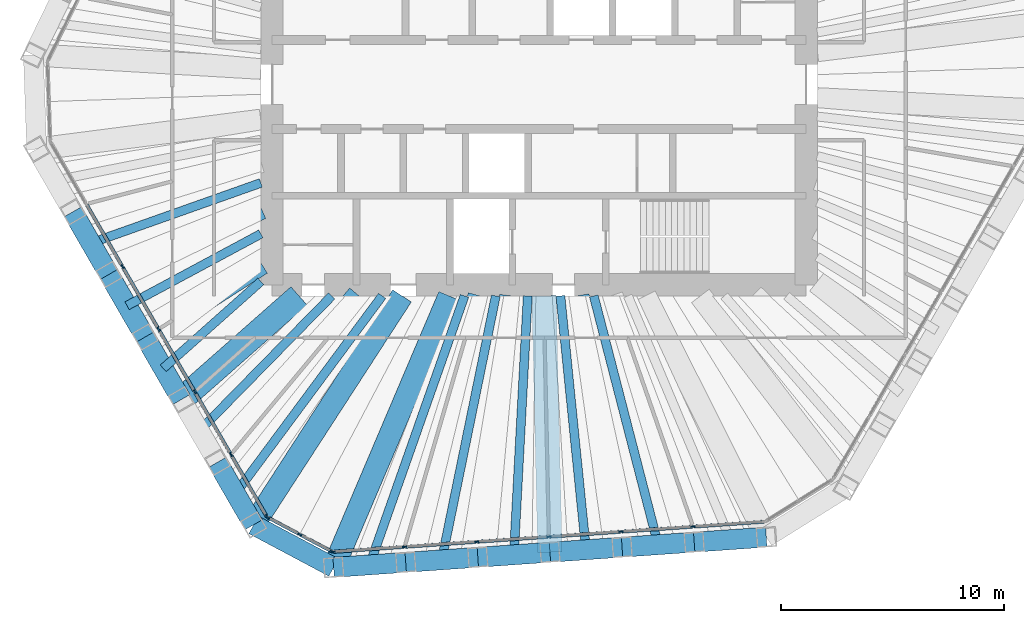
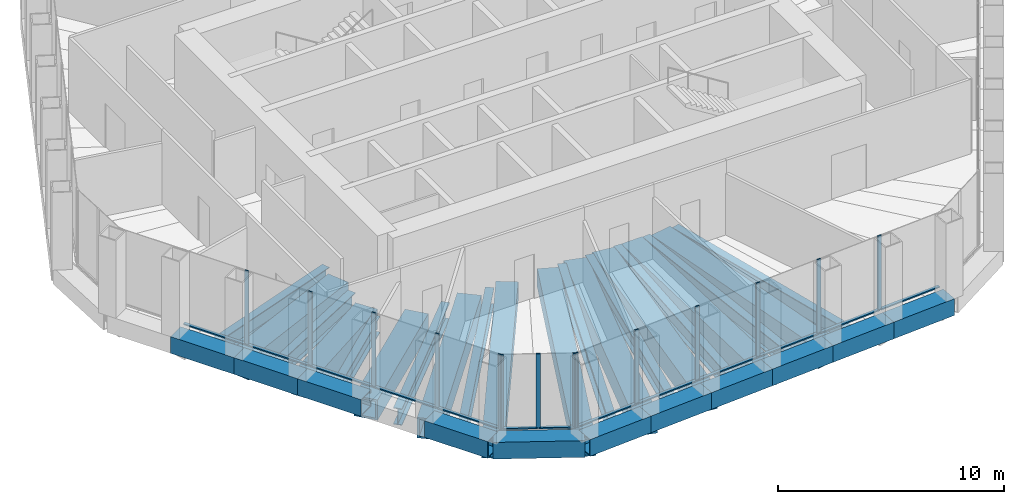
# One storey, part 2 of 14: 31 beams, 27 members, 3 elements without a shape of their own.
"""IFC4 building model written with IfcOpenShell, lengths in metres."""

import ifcopenshell
import ifcopenshell.guid

model = None  # the IFC model being written
_history = None  # IfcOwnerHistory: only IFC2X3 demands one
_inside = {}  # id of a spatial element -> (the spatial element, [elements in it])
_under = {}  # id of a project, library or spatial element -> (it, [spatial elements below it])
_declared = {}  # id of a project -> (the project, [libraries it declares])
_typed = {}  # id of a type object -> (the type object, [elements of that type])
_made_of = {}  # id of a material, layer set ... -> (it, [elements and type objects made of it])


def new_model(schema):
    """Start an empty IFC model of exactly this schema.

    Asked for "IFC4X3", IfcOpenShell would pick the latest addendum, in which some entities
    have other attributes; the version numbers below select the first issue.
    IFC2X3 requires an IfcOwnerHistory on every rooted entity: one is made here for all.
    """
    global model, _history
    if schema == "IFC4X3":
        model = ifcopenshell.file(schema_version=(4, 3, 0, 0))
    else:
        model = ifcopenshell.file(schema=schema)
    _inside.clear()
    _under.clear()
    _declared.clear()
    _typed.clear()
    _made_of.clear()
    _history = None
    if model.schema == "IFC2X3":
        org = make("IfcOrganization", Name="unknown")
        user = make(
            "IfcPersonAndOrganization",
            ThePerson=make("IfcPerson", FamilyName="unknown"),
            TheOrganization=org,
        )
        app = make(
            "IfcApplication",
            ApplicationDeveloper=org,
            Version="unknown",
            ApplicationFullName="unknown",
            ApplicationIdentifier="unknown",
        )
        _history = make(
            "IfcOwnerHistory",
            OwningUser=user,
            OwningApplication=app,
            ChangeAction="ADDED",
            CreationDate=0,
        )
    return model


def make(cls, **values):
    """One entity of the class cls with the attributes given. An attribute that is None is left unset."""
    return model.create_entity(
        cls, **{name: value for name, value in values.items() if value is not None}
    )


def rooted(cls, **values):
    """An entity with a GlobalId (a new one), such as an element, a storey or a relation."""
    return make(cls, GlobalId=ifcopenshell.guid.new(), OwnerHistory=_history, **values)


def si_unit(unit_type, name, prefix=None):
    """IfcSIUnit, for example si_unit("LENGTHUNIT", "METRE", prefix="MILLI")."""
    return make("IfcSIUnit", UnitType=unit_type, Prefix=prefix, Name=name)


def assignment(units):
    """IfcUnitAssignment: the units of a project."""
    return None if units is None else make("IfcUnitAssignment", Units=units)


def point(xyz):
    """IfcCartesianPoint."""
    return None if xyz is None else make("IfcCartesianPoint", Coordinates=xyz)


def direction(xyz):
    """IfcDirection."""
    return None if xyz is None else make("IfcDirection", DirectionRatios=xyz)


def frame(location, z_axis=None, x_axis=None):
    """IfcAxis2Placement3D, a coordinate frame: its origin and axes. An axis left out is left unset."""
    return make(
        "IfcAxis2Placement3D",
        Location=point(location),
        Axis=direction(z_axis),
        RefDirection=direction(x_axis),
    )


def frame_2d(location, x_axis=None):
    """IfcAxis2Placement2D, a coordinate frame in the plane: its origin and x axis."""
    return make(
        "IfcAxis2Placement2D", Location=point(location), RefDirection=direction(x_axis)
    )


def origin():
    """The frame at (0, 0, 0) with its axes left unset."""
    return frame((0.0, 0.0, 0.0))


def origin_2d():
    """The frame at (0, 0) in the plane with its x axis left unset."""
    return frame_2d((0.0, 0.0))


def place(relative_to, where):
    """IfcLocalPlacement: puts the frame where relative to a parent placement (None: the world)."""
    return make(
        "IfcLocalPlacement", PlacementRelTo=relative_to, RelativePlacement=where
    )


def context(
    kind, dimensions, precision=None, world=None, true_north=None, identifier=None
):
    """IfcGeometricRepresentationContext, for example the 3D "Model" context."""
    return make(
        "IfcGeometricRepresentationContext",
        ContextIdentifier=identifier,
        ContextType=kind,
        CoordinateSpaceDimension=dimensions,
        Precision=precision,
        WorldCoordinateSystem=world,
        TrueNorth=true_north,
    )


def subcontext(parent, identifier, kind, view, scale=None):
    """IfcGeometricRepresentationSubContext, for example "Body" below "Model"."""
    return make(
        "IfcGeometricRepresentationSubContext",
        ContextIdentifier=identifier,
        ContextType=kind,
        ParentContext=parent,
        TargetScale=scale,
        TargetView=view,
    )


def project(units=None, contexts=None):
    """IfcProject with its units and contexts."""
    return rooted(
        "IfcProject",
        Name="project",
        RepresentationContexts=contexts,
        UnitsInContext=assignment(units),
    )


def spatial(cls, under=None, at=None, **own):
    """A site, building, storey or space (cls), placed at a placement, below another one or the project."""
    s = rooted(cls, ObjectPlacement=at, **own)
    if under is not None:
        _under.setdefault(under.id(), (under, []))[1].append(s)
    return s


def profile(cls, at=None, kind="AREA", **sizes):
    """A parametric profile (cls). Its sizes go by their IFC names, for example OverallWidth=200.0."""
    return make(cls, ProfileType=kind, Position=at, **sizes)


def rectangle(**sizes):
    """IfcRectangleProfileDef."""
    return profile("IfcRectangleProfileDef", **sizes)


def hollow_rectangle(**sizes):
    """IfcRectangleHollowProfileDef."""
    return profile("IfcRectangleHollowProfileDef", **sizes)


def i_section(**sizes):
    """IfcIShapeProfileDef."""
    return profile("IfcIShapeProfileDef", **sizes)


def extrude(swept, where, along, depth):
    """IfcExtrudedAreaSolid: the profile swept, set in the frame where, extruded along a direction by depth."""
    return make(
        "IfcExtrudedAreaSolid",
        SweptArea=swept,
        Position=where,
        ExtrudedDirection=direction(along),
        Depth=depth,
    )


def shape(context_of_items, identifier, shape_type, items):
    """IfcShapeRepresentation: the items that make up one representation, for example the "Body"."""
    return make(
        "IfcShapeRepresentation",
        ContextOfItems=context_of_items,
        RepresentationIdentifier=identifier,
        RepresentationType=shape_type,
        Items=items,
    )


def material(Name=None, Category=None):
    """IfcMaterial."""
    return make("IfcMaterial", Name=Name, Category=Category)


def material_profile(
    of_material, cross_section, Name=None, Category=None, Priority=None
):
    """IfcMaterialProfile: a cross section and its material."""
    return make(
        "IfcMaterialProfile",
        Name=Name,
        Material=of_material,
        Profile=cross_section,
        Priority=Priority,
        Category=Category,
    )


def profile_set(profiles, Name=None, composite=None):
    """IfcMaterialProfileSet."""
    return make(
        "IfcMaterialProfileSet",
        Name=Name,
        MaterialProfiles=profiles,
        CompositeProfile=composite,
    )


def made_of(thing, what):
    """Note that an element or type object is made of a material, layer set ...; save() writes the relation."""
    if what is not None:
        _made_of.setdefault(what.id(), (what, []))[1].append(thing)
    return thing


def type_object(cls, material=None, **own):
    """A type object (cls), such as IfcWallType, which elements share."""
    return made_of(rooted(cls, **own), material)


def element(
    cls,
    number,
    at=None,
    inside=None,
    cuts=None,
    type_object=None,
    material=None,
    context=None,
    identifier="Body",
    shape_type=None,
    held_by="IfcProductDefinitionShape",
    body=None,
    shapes=None,
    **own,
):
    """One element of the class cls, such as IfcWall. Its Tag is "e" and its number.

    at: its placement. inside: the storey or other place that contains it. cuts: it is an
    opening in that element (IfcRelVoidsElement). A single representation is given by context,
    identifier, shape_type and body (its items); several are given by shapes. held_by: the class
    of the entity that holds the representations. save() writes the other relations.
    """
    e = rooted(cls, Tag="e%d" % number, ObjectPlacement=at, **own)
    if body is not None:
        shapes = [shape(context, identifier, shape_type, body)]
    if shapes is not None:
        e.Representation = make(held_by, Representations=shapes)
    if inside is not None:
        _inside.setdefault(inside.id(), (inside, []))[1].append(e)
    if cuts is not None:
        rooted(
            "IfcRelVoidsElement", RelatingBuildingElement=cuts, RelatedOpeningElement=e
        )
    if type_object is not None:
        _typed.setdefault(type_object.id(), (type_object, []))[1].append(e)
    return made_of(e, material)


def aggregate(whole, parts):
    """IfcRelAggregates: a whole, such as a stair, and the parts it consists of."""
    return rooted("IfcRelAggregates", RelatingObject=whole, RelatedObjects=parts)


def save(model, path):
    """Write the relations noted so far, then the file.

    IfcRelAggregates (storeys below a building ...), IfcRelContainedInSpatialStructure (elements
    in a storey), IfcRelDefinesByType, IfcRelAssociatesMaterial and IfcRelDeclares: one each for
    every whole, place, type object, material and project.
    """
    for whole, parts in _under.values():
        aggregate(whole, parts)
    for where, things in _inside.values():
        rooted(
            "IfcRelContainedInSpatialStructure",
            RelatedElements=things,
            RelatingStructure=where,
        )
    for kind, things in _typed.values():
        rooted("IfcRelDefinesByType", RelatedObjects=things, RelatingType=kind)
    for what, things in _made_of.values():
        rooted("IfcRelAssociatesMaterial", RelatedObjects=things, RelatingMaterial=what)
    for by, libraries in _declared.values():
        rooted("IfcRelDeclares", RelatingContext=by, RelatedDefinitions=libraries)
    model.write(path)


model = new_model("IFC4")

# Units and contexts
model_context = context("Model", 3, precision=1e-05, world=origin(), true_north=direction((0.0, 1.0)))
body_context = subcontext(model_context, "Body", "Model", "MODEL_VIEW")
ifc_project = project(units=[si_unit("LENGTHUNIT", "METRE"), si_unit("AREAUNIT", "SQUARE_METRE"), si_unit("VOLUMEUNIT", "CUBIC_METRE"), si_unit("PLANEANGLEUNIT", "RADIAN"), si_unit("MASSUNIT", "GRAM", prefix="KILO")], contexts=[model_context])

# Site, building, storey
site_placement = place(None, origin())
site = spatial("IfcSite", under=ifc_project, at=site_placement, CompositionType="ELEMENT")
building_placement = place(site_placement, origin())
building = spatial("IfcBuilding", under=site, at=building_placement, Name="Qingtian Harvest Tower", CompositionType="ELEMENT")
storey_placement = place(building_placement, frame((0.0, 0.0, 266.199951171875)))
storey = spatial("IfcBuildingStorey", under=building, at=storey_placement, Name="L58", CompositionType="ELEMENT", Elevation=266.199951171875)

# Beams
ifc_material_1 = material(Name="Steel SN490B", Category="steel")
ifc_material_profile_1 = material_profile(ifc_material_1, i_section(OverallWidth=0.39990234375, OverallDepth=0.89990234375, WebThickness=0.01904296875, FlangeThickness=0.035888671875, at=origin_2d()), Name="H900x400x19x36")
ifc_profile_set_1 = profile_set([ifc_material_profile_1], Name="Steel SN490B")
beam_type_1 = type_object("IfcBeamType", Name="Floor joist J4 H900x400x19x36", PredefinedType="JOIST", material=ifc_profile_set_1)
beam_1_placement = place(storey_placement, frame((5.349365234375, -20.67724609375, -0.619873046875), z_axis=(-0.250458686855, 0.968127288211, 0.0), x_axis=(-0.968127288211, -0.250458686855, 0.0)))
element("IfcBeam", 1, at=beam_1_placement, inside=storey, type_object=beam_type_1, Name="Floor joist J4 S1", PredefinedType="JOIST", context=body_context, shape_type="SweptSolid", body=[
    extrude(i_section(OverallWidth=0.39990234375, OverallDepth=0.89990234375, WebThickness=0.01904296875, FlangeThickness=0.035888671875, at=origin_2d()), origin(), (0.0, 0.0, 1.0), 11.545166015625),
])
beam_2_placement = place(storey_placement, frame((2.109130859375, -20.90380859375, -0.619873046875), z_axis=(-0.100389444623, 0.994948219461, 0.0), x_axis=(-0.994948219461, -0.100389444623, 0.0)))
element("IfcBeam", 2, at=beam_2_placement, inside=storey, type_object=beam_type_1, Name="Floor joist J4 S2", PredefinedType="JOIST", context=body_context, shape_type="SweptSolid", body=[
    extrude(i_section(OverallWidth=0.39990234375, OverallDepth=0.89990234375, WebThickness=0.01904296875, FlangeThickness=0.035888671875, at=origin_2d()), origin(), (0.0, 0.0, 1.0), 11.461669921875),
])
beam_3_placement = place(storey_placement, frame((-1.130859375, -21.13037109375, -0.619873046875), z_axis=(0.053431269754, 0.998571529442, 0.0), x_axis=(-0.998571529442, 0.053431269754, 0.0)))
element("IfcBeam", 3, at=beam_3_placement, inside=storey, type_object=beam_type_1, Name="Floor joist J4 S3", PredefinedType="JOIST", context=body_context, shape_type="SweptSolid", body=[
    extrude(i_section(OverallWidth=0.39990234375, OverallDepth=0.89990234375, WebThickness=0.01904296875, FlangeThickness=0.035888671875, at=origin_2d()), origin(), (0.0, 0.0, 1.0), 11.64697265625),
])
beam_4_placement = place(storey_placement, frame((-4.37109375, -21.35693359375, -0.619873046875), z_axis=(0.20051328843, 0.979690982485, 0.0), x_axis=(-0.979690982485, 0.20051328843, 0.0)))
element("IfcBeam", 4, at=beam_4_placement, inside=storey, type_object=beam_type_1, Name="Floor joist J4 S4", PredefinedType="JOIST", context=body_context, shape_type="SweptSolid", body=[
    extrude(i_section(OverallWidth=0.39990234375, OverallDepth=0.89990234375, WebThickness=0.01904296875, FlangeThickness=0.035888671875, at=origin_2d()), origin(), (0.0, 0.0, 1.0), 12.102783203125),
])
beam_5_placement = place(storey_placement, frame((-7.611083984375, -21.58349609375, -0.619873046875), z_axis=(0.332557973755, 0.943082814016, 0.0), x_axis=(-0.943082814016, 0.332557973755, 0.0)))
element("IfcBeam", 5, at=beam_5_placement, inside=storey, type_object=beam_type_1, Name="Floor joist J4 S5", PredefinedType="JOIST", context=body_context, shape_type="SweptSolid", body=[
    extrude(i_section(OverallWidth=0.39990234375, OverallDepth=0.89990234375, WebThickness=0.01904296875, FlangeThickness=0.035888671875, at=origin_2d()), origin(), (0.0, 0.0, 1.0), 12.812744140625),
])
beam_6_placement = place(storey_placement, frame((-13.637451171875, -18.37939453125, -0.619873046875), z_axis=(0.59587265023, 0.80307894052, 0.0), x_axis=(-0.80307894052, 0.59587265023, 0.0)))
element("IfcBeam", 6, at=beam_6_placement, inside=storey, type_object=beam_type_1, Name="Floor joist J4 SW0", PredefinedType="JOIST", context=body_context, shape_type="SweptSolid", body=[
    extrude(i_section(OverallWidth=0.39990234375, OverallDepth=0.89990234375, WebThickness=0.01904296875, FlangeThickness=0.035888671875, at=origin_2d()), origin(), (0.0, 0.0, 1.0), 11.056640625),
])
beam_7_placement = place(storey_placement, frame((-15.261474609375, -15.56640625, -0.619873046875), z_axis=(0.700074571426, 0.714069740602, 0.0), x_axis=(-0.714069740602, 0.700074571426, 0.0)))
element("IfcBeam", 7, at=beam_7_placement, inside=storey, type_object=beam_type_1, Name="Floor joist J4 SW1", PredefinedType="JOIST", context=body_context, shape_type="SweptSolid", body=[
    extrude(i_section(OverallWidth=0.39990234375, OverallDepth=0.89990234375, WebThickness=0.01904296875, FlangeThickness=0.035888671875, at=origin_2d()), origin(), (0.0, 0.0, 1.0), 8.49560546875),
])
beam_8_placement = place(storey_placement, frame((-16.885498046875, -12.753662109375, -0.619873046875), z_axis=(0.746957180478, 0.664872146004, 0.0), x_axis=(-0.664872146004, 0.746957180478, 0.0)))
element("IfcBeam", 8, at=beam_8_placement, inside=storey, type_object=beam_type_1, Name="Floor joist J4 SW2", PredefinedType="JOIST", context=body_context, shape_type="SweptSolid", body=[
    extrude(i_section(OverallWidth=0.39990234375, OverallDepth=0.89990234375, WebThickness=0.01904296875, FlangeThickness=0.035888671875, at=origin_2d()), origin(), (0.0, 0.0, 1.0), 5.87109375),
])
beam_9_placement = place(storey_placement, frame((-18.509521484375, -9.940673828125, -0.619873046875), z_axis=(0.880981997123, 0.473149786795, 0.0), x_axis=(-0.473149786795, 0.880981997123, 0.0)))
element("IfcBeam", 9, at=beam_9_placement, inside=storey, type_object=beam_type_1, Name="Floor joist J4 SW3", PredefinedType="JOIST", context=body_context, shape_type="SweptSolid", body=[
    extrude(i_section(OverallWidth=0.39990234375, OverallDepth=0.89990234375, WebThickness=0.01904296875, FlangeThickness=0.035888671875, at=origin_2d()), origin(), (0.0, 0.0, 1.0), 6.8212890625),
])
beam_10_placement = place(storey_placement, frame((-20.133544921875, -7.1279296875, -0.619873046875), z_axis=(0.942662600818, 0.333747241215, 0.0), x_axis=(-0.333747241215, 0.942662600818, 0.0)))
element("IfcBeam", 10, at=beam_10_placement, inside=storey, type_object=beam_type_1, Name="Floor joist J4 SW4", PredefinedType="JOIST", context=body_context, shape_type="SweptSolid", body=[
    extrude(i_section(OverallWidth=0.39990234375, OverallDepth=0.89990234375, WebThickness=0.01904296875, FlangeThickness=0.035888671875, at=origin_2d()), origin(), (0.0, 0.0, 1.0), 8.097900390625),
])

# Curtain wall, members
ifc_material_2 = material(Name="Bronze-anodised aluminium curtain wall", Category="aluminium")
curtain_wall_type = type_object("IfcCurtainWallType", Name="Curtain wall CW5 upper office", PredefinedType="USERDEFINED", material=ifc_material_2)
curtain_wall_1_placement = place(storey_placement, origin())
curtain_wall_1 = element("IfcCurtainWall", 11, at=curtain_wall_1_placement, inside=storey, type_object=curtain_wall_type, Name="Curtain wall CW5 L58 S0-5", ObjectType="RECESSED CURTAIN WALL", PredefinedType="USERDEFINED")
ifc_material_3 = material(Name="Bronze-anodised aluminium mullion", Category="aluminium")
ifc_material_profile_2 = material_profile(ifc_material_3, rectangle(XDim=0.06494140625, YDim=0.199951171875, at=origin_2d()), Name="AL 65x200")
ifc_profile_set_2 = profile_set([ifc_material_profile_2], Name="Bronze-anodised aluminium mullion")
member_type_1 = type_object("IfcMemberType", Name="Mullion CWM 65x200", PredefinedType="MULLION", material=ifc_profile_set_2)
member_1_placement = place(storey_placement, frame((6.92041015625, -19.86572265625, 0.0), z_axis=(0.0, 0.0, 1.0), x_axis=(0.069756473744, -0.99756405026, 0.0)))
member_1 = element("IfcMember", 12, at=member_1_placement, type_object=member_type_1, Name="CW5 mullion 2", PredefinedType="MULLION", context=body_context, shape_type="SweptSolid", body=[
    extrude(rectangle(XDim=0.06494140625, YDim=0.199951171875, at=origin_2d()), origin(), (0.0, 0.0, 1.0), 4.030029296875),
])
member_2_placement = place(storey_placement, frame((3.680419921875, -20.09228515625, 0.0), z_axis=(0.0, 0.0, 1.0), x_axis=(0.069756473744, -0.99756405026, 0.0)))
member_2 = element("IfcMember", 13, at=member_2_placement, type_object=member_type_1, Name="CW5 mullion 3", PredefinedType="MULLION", context=body_context, shape_type="SweptSolid", body=[
    extrude(rectangle(XDim=0.06494140625, YDim=0.199951171875, at=origin_2d()), origin(), (0.0, 0.0, 1.0), 4.030029296875),
])
member_3_placement = place(storey_placement, frame((0.440185546875, -20.31884765625, 0.0), z_axis=(0.0, 0.0, 1.0), x_axis=(0.069756473744, -0.99756405026, 0.0)))
member_3 = element("IfcMember", 14, at=member_3_placement, type_object=member_type_1, Name="CW5 mullion 4", PredefinedType="MULLION", context=body_context, shape_type="SweptSolid", body=[
    extrude(rectangle(XDim=0.06494140625, YDim=0.199951171875, at=origin_2d()), origin(), (0.0, 0.0, 1.0), 4.030029296875),
])
member_4_placement = place(storey_placement, frame((-2.7998046875, -20.54541015625, 0.0), z_axis=(0.0, 0.0, 1.0), x_axis=(0.069756473744, -0.99756405026, 0.0)))
member_4 = element("IfcMember", 15, at=member_4_placement, type_object=member_type_1, Name="CW5 mullion 5", PredefinedType="MULLION", context=body_context, shape_type="SweptSolid", body=[
    extrude(rectangle(XDim=0.06494140625, YDim=0.199951171875, at=origin_2d()), origin(), (0.0, 0.0, 1.0), 4.030029296875),
])
member_5_placement = place(storey_placement, frame((-6.0400390625, -20.77197265625, 0.0), z_axis=(0.0, 0.0, 1.0), x_axis=(0.069756473744, -0.99756405026, 0.0)))
member_5 = element("IfcMember", 16, at=member_5_placement, type_object=member_type_1, Name="CW5 mullion 6", PredefinedType="MULLION", context=body_context, shape_type="SweptSolid", body=[
    extrude(rectangle(XDim=0.06494140625, YDim=0.199951171875, at=origin_2d()), origin(), (0.0, 0.0, 1.0), 4.030029296875),
])
member_6_placement = place(storey_placement, frame((-9.24755859375, -20.996337890625, 0.0), z_axis=(0.0, 0.0, 1.0), x_axis=(0.069756473744, -0.99756405026, 0.0)))
member_6 = element("IfcMember", 17, at=member_6_placement, type_object=member_type_1, Name="CW5 mullion 7", PredefinedType="MULLION", context=body_context, shape_type="SweptSolid", body=[
    extrude(rectangle(XDim=0.06494140625, YDim=0.199951171875, at=origin_2d()), origin(), (0.0, 0.0, 1.0), 4.030029296875),
])

curtain_wall_2_placement = place(storey_placement, origin())
curtain_wall_2 = element("IfcCurtainWall", 18, at=curtain_wall_2_placement, inside=storey, type_object=curtain_wall_type, Name="Curtain wall CW5 L58 SC", ObjectType="RECESSED CURTAIN WALL", PredefinedType="USERDEFINED")
member_7_placement = place(storey_placement, frame((-9.308837890625, -20.983154296875, 0.0), z_axis=(0.0, 0.0, 1.0), x_axis=(-0.469471562786, -0.882947592859, 0.0)))
member_7 = element("IfcMember", 19, at=member_7_placement, type_object=member_type_1, Name="CW5 mullion 1", PredefinedType="MULLION", context=body_context, shape_type="SweptSolid", body=[
    extrude(rectangle(XDim=0.06494140625, YDim=0.199951171875, at=origin_2d()), origin(), (0.0, 0.0, 1.0), 4.030029296875),
])
member_8_placement = place(storey_placement, frame((-10.749755859375, -20.217041015625, 0.0), z_axis=(0.0, 0.0, 1.0), x_axis=(-0.469471562786, -0.882947592859, 0.0)))
member_8 = element("IfcMember", 20, at=member_8_placement, type_object=member_type_1, Name="CW5 mullion 2", PredefinedType="MULLION", context=body_context, shape_type="SweptSolid", body=[
    extrude(rectangle(XDim=0.06494140625, YDim=0.199951171875, at=origin_2d()), origin(), (0.0, 0.0, 1.0), 4.030029296875),
])
member_9_placement = place(storey_placement, frame((-12.1904296875, -19.450927734375, 0.0), z_axis=(0.0, 0.0, 1.0), x_axis=(-0.469471562786, -0.882947592859, 0.0)))
member_9 = element("IfcMember", 21, at=member_9_placement, type_object=member_type_1, Name="CW5 mullion 3", PredefinedType="MULLION", context=body_context, shape_type="SweptSolid", body=[
    extrude(rectangle(XDim=0.06494140625, YDim=0.199951171875, at=origin_2d()), origin(), (0.0, 0.0, 1.0), 4.030029296875),
])

curtain_wall_3_placement = place(storey_placement, origin())
curtain_wall_3 = element("IfcCurtainWall", 22, at=curtain_wall_3_placement, inside=storey, type_object=curtain_wall_type, Name="Curtain wall CW5 L58 SW0-5", ObjectType="RECESSED CURTAIN WALL", PredefinedType="USERDEFINED")
member_10_placement = place(storey_placement, frame((-12.2353515625, -19.40771484375, 0.0), z_axis=(0.0, 0.0, 1.0), x_axis=(-0.866025403784, -0.5, 0.0)))
member_10 = element("IfcMember", 23, at=member_10_placement, type_object=member_type_1, Name="CW5 mullion 1", PredefinedType="MULLION", context=body_context, shape_type="SweptSolid", body=[
    extrude(rectangle(XDim=0.06494140625, YDim=0.199951171875, at=origin_2d()), origin(), (0.0, 0.0, 1.0), 4.030029296875),
])
member_11_placement = place(storey_placement, frame((-13.84326171875, -16.622802734375, 0.0), z_axis=(0.0, 0.0, 1.0), x_axis=(-0.866025403784, -0.5, 0.0)))
member_11 = element("IfcMember", 24, at=member_11_placement, type_object=member_type_1, Name="CW5 mullion 2", PredefinedType="MULLION", context=body_context, shape_type="SweptSolid", body=[
    extrude(rectangle(XDim=0.06494140625, YDim=0.199951171875, at=origin_2d()), origin(), (0.0, 0.0, 1.0), 4.030029296875),
])
member_12_placement = place(storey_placement, frame((-15.46728515625, -13.81005859375, 0.0), z_axis=(0.0, 0.0, 1.0), x_axis=(-0.866025403784, -0.5, 0.0)))
member_12 = element("IfcMember", 25, at=member_12_placement, type_object=member_type_1, Name="CW5 mullion 3", PredefinedType="MULLION", context=body_context, shape_type="SweptSolid", body=[
    extrude(rectangle(XDim=0.06494140625, YDim=0.199951171875, at=origin_2d()), origin(), (0.0, 0.0, 1.0), 4.030029296875),
])
member_13_placement = place(storey_placement, frame((-17.09130859375, -10.9970703125, 0.0), z_axis=(0.0, 0.0, 1.0), x_axis=(-0.866025403784, -0.5, 0.0)))
member_13 = element("IfcMember", 26, at=member_13_placement, type_object=member_type_1, Name="CW5 mullion 4", PredefinedType="MULLION", context=body_context, shape_type="SweptSolid", body=[
    extrude(rectangle(XDim=0.06494140625, YDim=0.199951171875, at=origin_2d()), origin(), (0.0, 0.0, 1.0), 4.030029296875),
])
member_14_placement = place(storey_placement, frame((-18.71533203125, -8.184326171875, 0.0), z_axis=(0.0, 0.0, 1.0), x_axis=(-0.866025403784, -0.5, 0.0)))
member_14 = element("IfcMember", 27, at=member_14_placement, type_object=member_type_1, Name="CW5 mullion 5", PredefinedType="MULLION", context=body_context, shape_type="SweptSolid", body=[
    extrude(rectangle(XDim=0.06494140625, YDim=0.199951171875, at=origin_2d()), origin(), (0.0, 0.0, 1.0), 4.030029296875),
])

# Beams
ifc_material_4 = material(Name="Steel SM570MC", Category="steel")
ifc_material_profile_3 = material_profile(ifc_material_4, hollow_rectangle(XDim=1.0, YDim=1.0, WallThickness=0.080078125, at=origin_2d()), Name="BOX1000x1000x80")
ifc_profile_set_3 = profile_set([ifc_material_profile_3], Name="Steel SM570MC")
beam_type_2 = type_object("IfcBeamType", Name="Transfer corner beam FB11 BOX1000x1000x80", PredefinedType="BEAM", material=ifc_profile_set_3)
beam_11_placement = place(storey_placement, frame((-9.231201171875, -21.69677734375, -0.669921875), z_axis=(0.391497096334, 0.920179343151, 0.0), x_axis=(-0.920179343151, 0.391497096334, 0.0)))
element("IfcBeam", 28, at=beam_11_placement, inside=storey, type_object=beam_type_2, Name="Floor beam FB11 S6", PredefinedType="BEAM", context=body_context, shape_type="SweptSolid", body=[
    extrude(hollow_rectangle(XDim=1.0, YDim=1.0, WallThickness=0.080078125, at=origin_2d()), origin(), (0.0, 0.0, 1.0), 13.2548828125),
])
beam_12_placement = place(storey_placement, frame((-12.825439453125, -19.78564453125, -0.669921875), z_axis=(0.543944801957, 0.83912099987, 0.0), x_axis=(-0.83912099987, 0.543944801957, 0.0)))
element("IfcBeam", 29, at=beam_12_placement, inside=storey, type_object=beam_type_2, Name="Floor beam FB11 SW0", PredefinedType="BEAM", context=body_context, shape_type="SweptSolid", body=[
    extrude(hollow_rectangle(XDim=1.0, YDim=1.0, WallThickness=0.080078125, at=origin_2d()), origin(), (0.0, 0.0, 1.0), 12.257568359375),
])
ifc_material_5 = material(Name="Steel SM570MC", Category="steel")
ifc_material_profile_4 = material_profile(ifc_material_5, hollow_rectangle(XDim=1.10009765625, YDim=1.10009765625, WallThickness=0.10009765625, at=origin_2d()), Name="BOX1100x1100x100")
ifc_profile_set_4 = profile_set([ifc_material_profile_4], Name="Steel SM570MC")
beam_type_3 = type_object("IfcBeamType", Name="Transfer floor beam FB9 BOX1100x1100x100", PredefinedType="BEAM", material=ifc_profile_set_4)
beam_13_placement = place(storey_placement, frame((3.729248046875, -20.79052734375, -0.719970703125), z_axis=(-0.176549332285, 0.984291792747, 0.0), x_axis=(-0.984291792747, -0.176549332285, 0.0)))
element("IfcBeam", 30, at=beam_13_placement, inside=storey, type_object=beam_type_3, Name="Floor beam FB9 S2", PredefinedType="BEAM", context=body_context, shape_type="SweptSolid", body=[
    extrude(hollow_rectangle(XDim=1.10009765625, YDim=1.10009765625, WallThickness=0.10009765625, at=origin_2d()), origin(), (0.0, 0.0, 1.0), 11.470703125),
])
beam_14_placement = place(storey_placement, frame((0.489013671875, -21.01708984375, -0.719970703125), z_axis=(-0.023248050009, 0.999729727562, 0.0), x_axis=(-0.999729727562, -0.023248050009, 0.0)))
element("IfcBeam", 31, at=beam_14_placement, inside=storey, type_object=beam_type_3, Name="Floor beam FB9 S3", PredefinedType="BEAM", context=body_context, shape_type="SweptSolid", body=[
    extrude(hollow_rectangle(XDim=1.10009765625, YDim=1.10009765625, WallThickness=0.10009765625, at=origin_2d()), origin(), (0.0, 0.0, 1.0), 11.520263671875),
])
beam_15_placement = place(storey_placement, frame((-2.7509765625, -21.24365234375, -0.719970703125), z_axis=(0.128423358095, 0.991719436683, 0.0), x_axis=(-0.991719436683, 0.128423358095, 0.0)))
element("IfcBeam", 32, at=beam_15_placement, inside=storey, type_object=beam_type_3, Name="Floor beam FB9 S4", PredefinedType="BEAM", context=body_context, shape_type="SweptSolid", body=[
    extrude(hollow_rectangle(XDim=1.10009765625, YDim=1.10009765625, WallThickness=0.10009765625, at=origin_2d()), origin(), (0.0, 0.0, 1.0), 11.841796875),
])
beam_16_placement = place(storey_placement, frame((-5.9912109375, -21.47021484375, -0.719970703125), z_axis=(0.268784556761, 0.963200322906, 0.0), x_axis=(-0.963200322906, 0.268784556761, 0.0)))
element("IfcBeam", 33, at=beam_16_placement, inside=storey, type_object=beam_type_3, Name="Floor beam FB9 S5", PredefinedType="BEAM", context=body_context, shape_type="SweptSolid", body=[
    extrude(hollow_rectangle(XDim=1.10009765625, YDim=1.10009765625, WallThickness=0.10009765625, at=origin_2d()), origin(), (0.0, 0.0, 1.0), 12.427490234375),
])
beam_17_placement = place(storey_placement, frame((-14.449462890625, -16.972900390625, -0.719970703125), z_axis=(0.64823096823, 0.761443768001, 0.0), x_axis=(-0.761443768001, 0.64823096823, 0.0)))
element("IfcBeam", 34, at=beam_17_placement, inside=storey, type_object=beam_type_3, Name="Floor beam FB9 SW1", PredefinedType="BEAM", context=body_context, shape_type="SweptSolid", body=[
    extrude(hollow_rectangle(XDim=1.10009765625, YDim=1.10009765625, WallThickness=0.10009765625, at=origin_2d()), origin(), (0.0, 0.0, 1.0), 9.814208984375),
])
beam_18_placement = place(storey_placement, frame((-16.073486328125, -14.159912109375, -0.719970703125), z_axis=(0.75036921961, 0.661018936387, 0.0), x_axis=(-0.661018936387, 0.75036921961, 0.0)))
element("IfcBeam", 35, at=beam_18_placement, inside=storey, type_object=beam_type_3, Name="Floor beam FB9 SW2", PredefinedType="BEAM", context=body_context, shape_type="SweptSolid", body=[
    extrude(hollow_rectangle(XDim=1.10009765625, YDim=1.10009765625, WallThickness=0.10009765625, at=origin_2d()), origin(), (0.0, 0.0, 1.0), 7.049560546875),
])
beam_19_placement = place(storey_placement, frame((-17.697509765625, -11.34716796875, -0.719970703125), z_axis=(0.841821552392, 0.539755939225, 0.0), x_axis=(-0.539755939225, 0.841821552392, 0.0)))
element("IfcBeam", 36, at=beam_19_placement, inside=storey, type_object=beam_type_3, Name="Floor beam FB9 SW3", PredefinedType="BEAM", context=body_context, shape_type="SweptSolid", body=[
    extrude(hollow_rectangle(XDim=1.10009765625, YDim=1.10009765625, WallThickness=0.10009765625, at=origin_2d()), origin(), (0.0, 0.0, 1.0), 6.174072265625),
])
beam_20_placement = place(storey_placement, frame((-19.321533203125, -8.5341796875, -0.719970703125), z_axis=(0.914747389649, 0.404026253021, 0.0), x_axis=(-0.404026253021, 0.914747389649, 0.0)))
element("IfcBeam", 37, at=beam_20_placement, inside=storey, type_object=beam_type_3, Name="Floor beam FB9 SW4", PredefinedType="BEAM", context=body_context, shape_type="SweptSolid", body=[
    extrude(hollow_rectangle(XDim=1.10009765625, YDim=1.10009765625, WallThickness=0.10009765625, at=origin_2d()), origin(), (0.0, 0.0, 1.0), 7.457275390625),
])
ifc_material_6 = material(Name="Steel SM570MC", Category="steel")
ifc_material_profile_5 = material_profile(ifc_material_6, hollow_rectangle(XDim=0.89990234375, YDim=0.89990234375, WallThickness=0.050048828125, at=origin_2d()), Name="BOX900x900x50")
ifc_profile_set_5 = profile_set([ifc_material_profile_5], Name="Steel SM570MC")
beam_type_4 = type_object("IfcBeamType", Name="Transition spandrel SB6 BOX900x900x50", PredefinedType="SPANDREL", material=ifc_profile_set_5)
beam_21_placement = place(storey_placement, frame((10.20947265625, -20.33740234375, -0.449951171875), z_axis=(-0.9975644093, -0.069751339047, 0.0), x_axis=(0.069751339047, -0.9975644093, 0.0)))
element("IfcBeam", 38, at=beam_21_placement, inside=storey, type_object=beam_type_4, Name="Spandrel SB6 S0", PredefinedType="SPANDREL", context=body_context, shape_type="SweptSolid", body=[
    extrude(hollow_rectangle(XDim=0.89990234375, YDim=0.89990234375, WallThickness=0.050048828125, at=origin_2d()), origin(), (0.0, 0.0, 1.0), 3.248046875),
])
beam_22_placement = place(storey_placement, frame((6.96923828125, -20.56396484375, -0.449951171875), z_axis=(-0.997564043571, -0.069756569394, 0.0), x_axis=(0.069756569394, -0.997564043571, 0.0)))
element("IfcBeam", 39, at=beam_22_placement, inside=storey, type_object=beam_type_4, Name="Spandrel SB6 S1", PredefinedType="SPANDREL", context=body_context, shape_type="SweptSolid", body=[
    extrude(hollow_rectangle(XDim=0.89990234375, YDim=0.89990234375, WallThickness=0.050048828125, at=origin_2d()), origin(), (0.0, 0.0, 1.0), 3.247802734375),
])
beam_23_placement = place(storey_placement, frame((3.729248046875, -20.79052734375, -0.449951171875), z_axis=(-0.9975644093, -0.069751339047, 0.0), x_axis=(0.069751339047, -0.9975644093, 0.0)))
element("IfcBeam", 40, at=beam_23_placement, inside=storey, type_object=beam_type_4, Name="Spandrel SB6 S2", PredefinedType="SPANDREL", context=body_context, shape_type="SweptSolid", body=[
    extrude(hollow_rectangle(XDim=0.89990234375, YDim=0.89990234375, WallThickness=0.050048828125, at=origin_2d()), origin(), (0.0, 0.0, 1.0), 3.248046875),
])
beam_24_placement = place(storey_placement, frame((0.489013671875, -21.01708984375, -0.449951171875), z_axis=(-0.997564043571, -0.069756569394, 0.0), x_axis=(0.069756569394, -0.997564043571, 0.0)))
element("IfcBeam", 41, at=beam_24_placement, inside=storey, type_object=beam_type_4, Name="Spandrel SB6 S3", PredefinedType="SPANDREL", context=body_context, shape_type="SweptSolid", body=[
    extrude(hollow_rectangle(XDim=0.89990234375, YDim=0.89990234375, WallThickness=0.050048828125, at=origin_2d()), origin(), (0.0, 0.0, 1.0), 3.247802734375),
])
beam_25_placement = place(storey_placement, frame((-2.7509765625, -21.24365234375, -0.449951171875), z_axis=(-0.9975644093, -0.069751339047, 0.0), x_axis=(0.069751339047, -0.9975644093, 0.0)))
element("IfcBeam", 42, at=beam_25_placement, inside=storey, type_object=beam_type_4, Name="Spandrel SB6 S4", PredefinedType="SPANDREL", context=body_context, shape_type="SweptSolid", body=[
    extrude(hollow_rectangle(XDim=0.89990234375, YDim=0.89990234375, WallThickness=0.050048828125, at=origin_2d()), origin(), (0.0, 0.0, 1.0), 3.248046875),
])
beam_26_placement = place(storey_placement, frame((-5.9912109375, -21.47021484375, -0.449951171875), z_axis=(-0.997564043571, -0.069756569394, 0.0), x_axis=(0.069756569394, -0.997564043571, 0.0)))
element("IfcBeam", 43, at=beam_26_placement, inside=storey, type_object=beam_type_4, Name="Spandrel SB6 S5", PredefinedType="SPANDREL", context=body_context, shape_type="SweptSolid", body=[
    extrude(hollow_rectangle(XDim=0.89990234375, YDim=0.89990234375, WallThickness=0.050048828125, at=origin_2d()), origin(), (0.0, 0.0, 1.0), 3.247802734375),
])
beam_27_placement = place(storey_placement, frame((-9.231201171875, -21.69677734375, -0.449951171875), z_axis=(-0.882943273379, 0.469479686456, 0.0), x_axis=(-0.469479686456, -0.882943273379, 0.0)))
element("IfcBeam", 44, at=beam_27_placement, inside=storey, type_object=beam_type_4, Name="Spandrel SB6 SC", PredefinedType="SPANDREL", context=body_context, shape_type="SweptSolid", body=[
    extrude(hollow_rectangle(XDim=0.89990234375, YDim=0.89990234375, WallThickness=0.050048828125, at=origin_2d()), origin(), (0.0, 0.0, 1.0), 4.07080078125),
])
for number, where, z_axis, x_axis, name in (
    (45, (-12.825439453125, -19.78564453125, -0.449951171875), (-0.500019593356, 0.866014091259, 0.0), (-0.866014091259, -0.500019593356, 0.0), "Spandrel SB6 SW0"),
    (46, (-16.073486328125, -14.159912109375, -0.449951171875), (-0.500019593356, 0.866014091259, 0.0), (-0.866014091259, -0.500019593356, 0.0), "Spandrel SB6 SW2"),
):
    element("IfcBeam", number, at=place(storey_placement, frame(where, z_axis=z_axis, x_axis=x_axis)), inside=storey, type_object=beam_type_4, Name=name, PredefinedType="SPANDREL", context=body_context, shape_type="SweptSolid", body=[
        extrude(hollow_rectangle(XDim=0.89990234375, YDim=0.89990234375, WallThickness=0.050048828125, at=origin_2d()), origin(), (0.0, 0.0, 1.0), 3.247802734375),
    ])
beam_28_placement = place(storey_placement, frame((-17.697509765625, -11.34716796875, -0.449951171875), z_axis=(-0.499987045439, 0.866032882975, 0.0), x_axis=(-0.866032882975, -0.499987045439, 0.0)))
element("IfcBeam", 47, at=beam_28_placement, inside=storey, type_object=beam_type_4, Name="Spandrel SB6 SW3", PredefinedType="SPANDREL", context=body_context, shape_type="SweptSolid", body=[
    extrude(hollow_rectangle(XDim=0.89990234375, YDim=0.89990234375, WallThickness=0.050048828125, at=origin_2d()), origin(), (0.0, 0.0, 1.0), 3.248046875),
])
beam_29_placement = place(storey_placement, frame((-19.321533203125, -8.5341796875, -0.449951171875), z_axis=(-0.500019593356, 0.866014091259, 0.0), x_axis=(-0.866014091259, -0.500019593356, 0.0)))
element("IfcBeam", 48, at=beam_29_placement, inside=storey, type_object=beam_type_4, Name="Spandrel SB6 SW4", PredefinedType="SPANDREL", context=body_context, shape_type="SweptSolid", body=[
    extrude(hollow_rectangle(XDim=0.89990234375, YDim=0.89990234375, WallThickness=0.050048828125, at=origin_2d()), origin(), (0.0, 0.0, 1.0), 3.247802734375),
])

# Member
ifc_material_7 = material(Name="Bronze-anodised aluminium transom", Category="aluminium")
ifc_material_profile_6 = material_profile(ifc_material_7, rectangle(XDim=0.14990234375, YDim=0.06494140625, at=origin_2d()), Name="AL 65x150")
ifc_profile_set_6 = profile_set([ifc_material_profile_6], Name="Bronze-anodised aluminium transom")
member_type_2 = type_object("IfcMemberType", Name="Transom CWT 65x150", PredefinedType="USERDEFINED", material=ifc_profile_set_6)
member_15_placement = place(storey_placement, frame((10.095703125, -19.6435546875, 0.032470703125), z_axis=(-0.997564955301, -0.069743529851, 0.0), x_axis=(0.069743529851, -0.997564955301, 0.0)))
member_15 = element("IfcMember", 49, at=member_15_placement, type_object=member_type_2, Name="CW5 transom 1.1", ObjectType="TRANSOM", PredefinedType="USERDEFINED", context=body_context, shape_type="SweptSolid", body=[
    extrude(rectangle(XDim=0.14990234375, YDim=0.06494140625, at=origin_2d()), origin(), (0.0, 0.0, 1.0), 3.150390625),
])

member_16_placement = place(storey_placement, frame((6.88818359375, -19.867919921875, 0.032470703125), z_axis=(-0.997566548107, -0.069720743674, 0.0), x_axis=(0.069720743674, -0.997566548107, 0.0)))
member_16 = element("IfcMember", 50, at=member_16_placement, type_object=member_type_2, Name="CW5 transom 2.1", ObjectType="TRANSOM", PredefinedType="USERDEFINED", context=body_context, shape_type="SweptSolid", body=[
    extrude(rectangle(XDim=0.14990234375, YDim=0.06494140625, at=origin_2d()), origin(), (0.0, 0.0, 1.0), 3.18310546875),
])

member_17_placement = place(storey_placement, frame((3.64794921875, -20.094482421875, 0.032470703125), z_axis=(-0.997566548107, -0.069720743674, 0.0), x_axis=(0.069720743674, -0.997566548107, 0.0)))
member_17 = element("IfcMember", 51, at=member_17_placement, type_object=member_type_2, Name="CW5 transom 3.1", ObjectType="TRANSOM", PredefinedType="USERDEFINED", context=body_context, shape_type="SweptSolid", body=[
    extrude(rectangle(XDim=0.14990234375, YDim=0.06494140625, at=origin_2d()), origin(), (0.0, 0.0, 1.0), 3.18310546875),
])

member_18_placement = place(storey_placement, frame((0.407958984375, -20.321044921875, 0.032470703125), z_axis=(-0.997566548107, -0.069720743674, 0.0), x_axis=(0.069720743674, -0.997566548107, 0.0)))
member_18 = element("IfcMember", 52, at=member_18_placement, type_object=member_type_2, Name="CW5 transom 4.1", ObjectType="TRANSOM", PredefinedType="USERDEFINED", context=body_context, shape_type="SweptSolid", body=[
    extrude(rectangle(XDim=0.14990234375, YDim=0.06494140625, at=origin_2d()), origin(), (0.0, 0.0, 1.0), 3.18310546875),
])

member_19_placement = place(storey_placement, frame((-2.832275390625, -20.547607421875, 0.032470703125), z_axis=(-0.997561210613, -0.06979707071, 0.0), x_axis=(0.06979707071, -0.997561210613, 0.0)))
member_19 = element("IfcMember", 53, at=member_19_placement, type_object=member_type_2, Name="CW5 transom 5.1", ObjectType="TRANSOM", PredefinedType="USERDEFINED", context=body_context, shape_type="SweptSolid", body=[
    extrude(rectangle(XDim=0.14990234375, YDim=0.06494140625, at=origin_2d()), origin(), (0.0, 0.0, 1.0), 3.18310546875),
])

member_20_placement = place(storey_placement, frame((-6.072509765625, -20.774169921875, 0.032470703125), z_axis=(-0.997564955301, -0.069743529851, 0.0), x_axis=(0.069743529851, -0.997564955301, 0.0)))
member_20 = element("IfcMember", 54, at=member_20_placement, type_object=member_type_2, Name="CW5 transom 6.1", ObjectType="TRANSOM", PredefinedType="USERDEFINED", context=body_context, shape_type="SweptSolid", body=[
    extrude(rectangle(XDim=0.14990234375, YDim=0.06494140625, at=origin_2d()), origin(), (0.0, 0.0, 1.0), 3.150390625),
])

aggregate(curtain_wall_1, [member_1, member_2, member_3, member_4, member_5, member_6, member_15, member_16, member_17, member_18, member_19, member_20])

member_21_placement = place(storey_placement, frame((-9.33740234375, -20.968017578125, 0.032470703125), z_axis=(-0.882960338349, 0.46944759122, 0.0), x_axis=(-0.46944759122, -0.882960338349, 0.0)))
member_21 = element("IfcMember", 55, at=member_21_placement, type_object=member_type_2, Name="CW5 transom 1.1", ObjectType="TRANSOM", PredefinedType="USERDEFINED", context=body_context, shape_type="SweptSolid", body=[
    extrude(rectangle(XDim=0.14990234375, YDim=0.06494140625, at=origin_2d()), origin(), (0.0, 0.0, 1.0), 1.56689453125),
])

member_22_placement = place(storey_placement, frame((-10.7783203125, -20.201904296875, 0.032470703125), z_axis=(-0.882960338349, 0.46944759122, 0.0), x_axis=(-0.46944759122, -0.882960338349, 0.0)))
member_22 = element("IfcMember", 56, at=member_22_placement, type_object=member_type_2, Name="CW5 transom 2.1", ObjectType="TRANSOM", PredefinedType="USERDEFINED", context=body_context, shape_type="SweptSolid", body=[
    extrude(rectangle(XDim=0.14990234375, YDim=0.06494140625, at=origin_2d()), origin(), (0.0, 0.0, 1.0), 1.56689453125),
])

aggregate(curtain_wall_2, [member_7, member_8, member_9, member_21, member_22])

member_23_placement = place(storey_placement, frame((-12.251708984375, -19.37939453125, 0.032470703125), z_axis=(-0.50000643655, 0.866021687608, 0.0), x_axis=(-0.866021687608, -0.50000643655, 0.0)))
member_23 = element("IfcMember", 57, at=member_23_placement, type_object=member_type_2, Name="CW5 transom 1.1", ObjectType="TRANSOM", PredefinedType="USERDEFINED", context=body_context, shape_type="SweptSolid", body=[
    extrude(rectangle(XDim=0.14990234375, YDim=0.06494140625, at=origin_2d()), origin(), (0.0, 0.0, 1.0), 3.150390625),
])

member_24_placement = place(storey_placement, frame((-13.859375, -16.5947265625, 0.032470703125), z_axis=(-0.5000079448, 0.866020816803, 0.0), x_axis=(-0.866020816803, -0.5000079448, 0.0)))
member_24 = element("IfcMember", 58, at=member_24_placement, type_object=member_type_2, Name="CW5 transom 2.1", ObjectType="TRANSOM", PredefinedType="USERDEFINED", context=body_context, shape_type="SweptSolid", body=[
    extrude(rectangle(XDim=0.14990234375, YDim=0.06494140625, at=origin_2d()), origin(), (0.0, 0.0, 1.0), 3.18310546875),
])

member_25_placement = place(storey_placement, frame((-15.4833984375, -13.78173828125, 0.032470703125), z_axis=(-0.500041159108, 0.866001639258, 0.0), x_axis=(-0.866001639258, -0.500041159108, 0.0)))
member_25 = element("IfcMember", 59, at=member_25_placement, type_object=member_type_2, Name="CW5 transom 3.1", ObjectType="TRANSOM", PredefinedType="USERDEFINED", context=body_context, shape_type="SweptSolid", body=[
    extrude(rectangle(XDim=0.14990234375, YDim=0.06494140625, at=origin_2d()), origin(), (0.0, 0.0, 1.0), 3.182861328125),
])

member_26_placement = place(storey_placement, frame((-17.107421875, -10.968994140625, 0.032470703125), z_axis=(-0.5000079448, 0.866020816803, 0.0), x_axis=(-0.866020816803, -0.5000079448, 0.0)))
member_26 = element("IfcMember", 60, at=member_26_placement, type_object=member_type_2, Name="CW5 transom 4.1", ObjectType="TRANSOM", PredefinedType="USERDEFINED", context=body_context, shape_type="SweptSolid", body=[
    extrude(rectangle(XDim=0.14990234375, YDim=0.06494140625, at=origin_2d()), origin(), (0.0, 0.0, 1.0), 3.18310546875),
])

member_27_placement = place(storey_placement, frame((-18.7314453125, -8.156005859375, 0.032470703125), z_axis=(-0.5000079448, 0.866020816803, 0.0), x_axis=(-0.866020816803, -0.5000079448, 0.0)))
member_27 = element("IfcMember", 61, at=member_27_placement, type_object=member_type_2, Name="CW5 transom 5.1", ObjectType="TRANSOM", PredefinedType="USERDEFINED", context=body_context, shape_type="SweptSolid", body=[
    extrude(rectangle(XDim=0.14990234375, YDim=0.06494140625, at=origin_2d()), origin(), (0.0, 0.0, 1.0), 3.18310546875),
])

aggregate(curtain_wall_3, [member_10, member_11, member_12, member_13, member_14, member_23, member_24, member_25, member_26, member_27])

save(model, "model.ifc")
